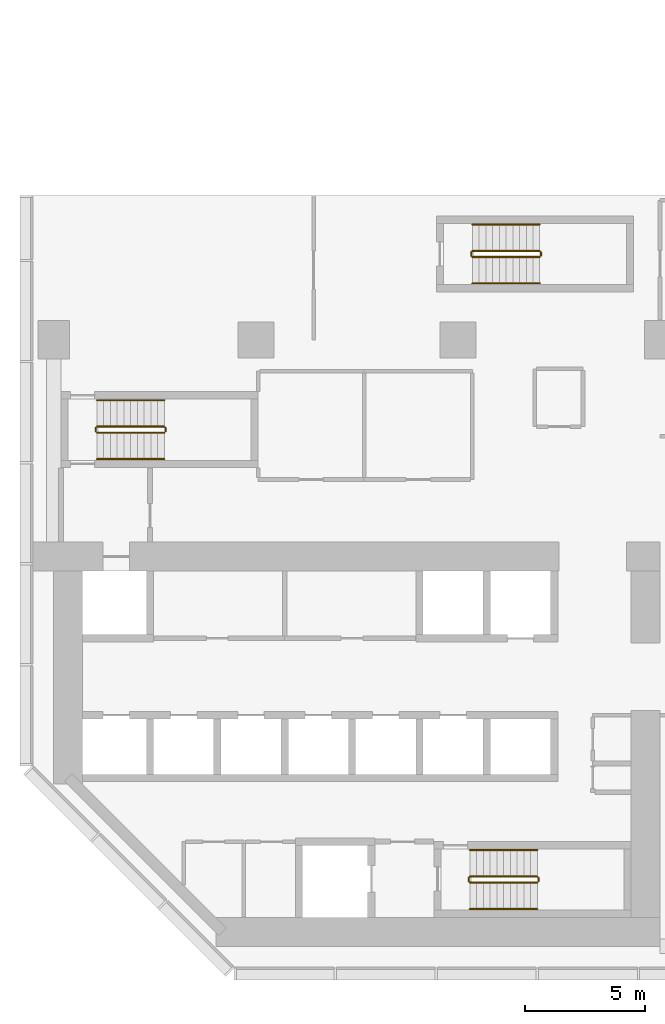
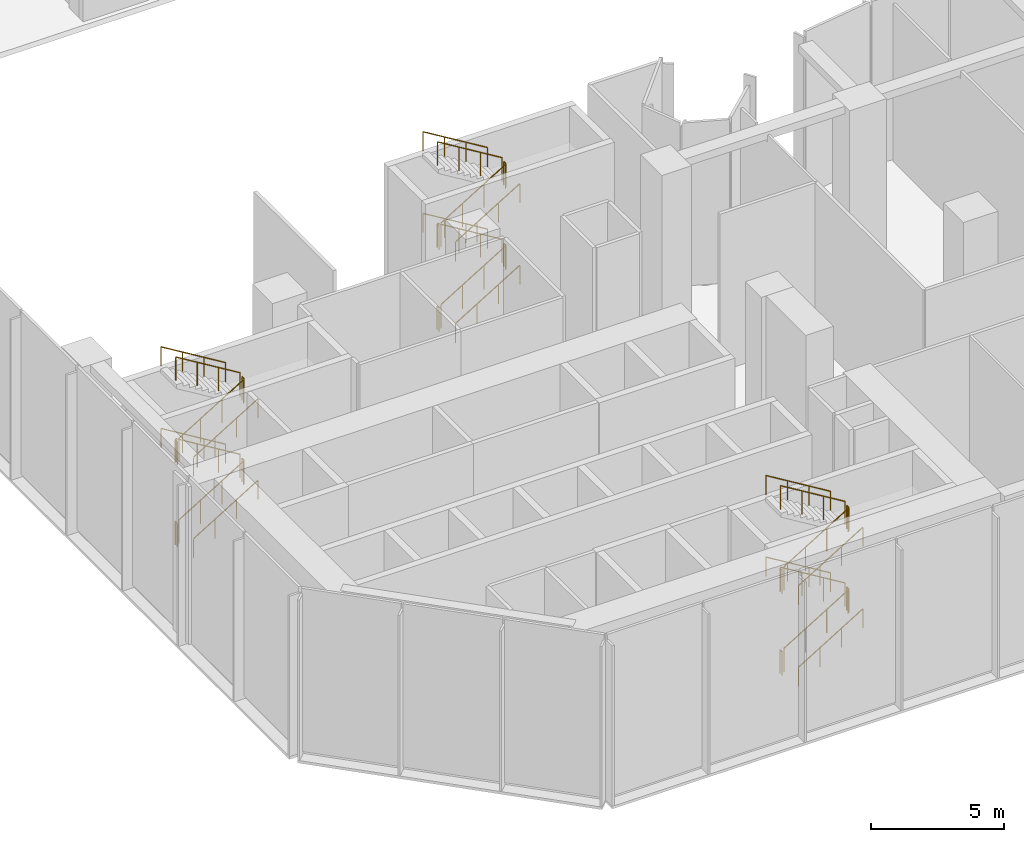
# One storey, part 19 of 22: 36 railings.
"""IFC4 building model written with IfcOpenShell, lengths in metres."""

from ifc_helpers import new_model, si_unit, direction, frame, origin, origin_2d, place, context, subcontext, project, spatial, circle, extrude, material, type_object, element, save


model = new_model("IFC4")

# Units and contexts
model_context = context("Model", 3, precision=1e-05, world=origin(), true_north=direction((0.0, 1.0)))
body_context = subcontext(model_context, "Body", "Model", "MODEL_VIEW")
ifc_project = project(units=[si_unit("LENGTHUNIT", "METRE"), si_unit("AREAUNIT", "SQUARE_METRE"), si_unit("VOLUMEUNIT", "CUBIC_METRE"), si_unit("PLANEANGLEUNIT", "RADIAN"), si_unit("MASSUNIT", "GRAM", prefix="KILO")], contexts=[model_context])

# Site, building, storey
site_placement = place(None, origin())
site = spatial("IfcSite", under=ifc_project, at=site_placement, CompositionType="ELEMENT")
building_placement = place(site_placement, origin())
building = spatial("IfcBuilding", under=site, at=building_placement, Name="Brevane Broadcast Tower", CompositionType="ELEMENT")
storey_placement = place(building_placement, frame((0.0, 0.0, 20.0)))
storey = spatial("IfcBuildingStorey", under=building, at=storey_placement, Name="L03", CompositionType="ELEMENT", Elevation=20.0)

# Railings
ifc_material = material(Name="Steel S355", Category="steel")
railing_type_1 = type_object("IfcRailingType", Name="Exit stair guard", PredefinedType="GUARDRAIL", material=ifc_material)
railing_1_placement = place(storey_placement, frame((1.800048828125, 21.35009765625, 0.17041015625)))
element("IfcRailing", 1, at=railing_1_placement, inside=storey, type_object=railing_type_1, Name="L03 ST-1 stair guard 1", PredefinedType="GUARDRAIL", context=body_context, shape_type="SweptSolid", body=[
    extrude(circle(Radius=0.02392578125, at=origin_2d()), frame((0.0, 0.0, 1.076171875), z_axis=(0.854169791009, 0.0, 0.51999420009), x_axis=(0.0, 1.0, 0.0)), (0.0, 0.0, 1.0), 3.278076171875),
    extrude(circle(Radius=0.02099609375, at=origin_2d()), origin(), (0.0, 0.0, 1.0), 1.052001953125),
    extrude(circle(Radius=0.02099609375, at=origin_2d()), frame((0.933349609375, 0.0, 0.568115234375)), (0.0, 0.0, 1.0), 1.052001953125),
    extrude(circle(Radius=0.02099609375, at=origin_2d()), frame((1.86669921875, 0.0, 1.136474609375)), (0.0, 0.0, 1.0), 1.052001953125),
    extrude(circle(Radius=0.02099609375, at=origin_2d()), frame((2.800048828125, 0.0, 1.70458984375)), (0.0, 0.0, 1.0), 1.052001953125),
])
railing_2_placement = place(storey_placement, frame((4.64990234375, 21.39990234375, 1.875)))
element("IfcRailing", 2, at=railing_2_placement, inside=storey, type_object=railing_type_1, Name="L03 ST-1 stair guard 2", PredefinedType="GUARDRAIL", context=body_context, shape_type="SweptSolid", body=[
    extrude(circle(Radius=0.02392578125, at=origin_2d()), frame((0.0, 0.0, 1.076171875), z_axis=(0.0, 1.0, 0.0), x_axis=(-1.0, 0.0, 0.0)), (0.0, 0.0, 1.0), 0.150146484375),
    extrude(circle(Radius=0.02099609375, at=origin_2d()), origin(), (0.0, 0.0, 1.0), 1.052001953125),
    extrude(circle(Radius=0.02099609375, at=origin_2d()), frame((0.0, 0.150146484375, 0.0)), (0.0, 0.0, 1.0), 1.052001953125),
])
railing_3_placement = place(storey_placement, frame((4.60009765625, 21.60009765625, 2.04541015625)))
element("IfcRailing", 3, at=railing_3_placement, inside=storey, type_object=railing_type_1, Name="L03 ST-1 stair guard 3", PredefinedType="GUARDRAIL", context=body_context, shape_type="SweptSolid", body=[
    extrude(circle(Radius=0.02392578125, at=origin_2d()), frame((0.0, 0.0, 1.076171875), z_axis=(-0.854169791009, 0.0, 0.51999420009), x_axis=(0.0, -1.0, 0.0)), (0.0, 0.0, 1.0), 3.278076171875),
    extrude(circle(Radius=0.02099609375, at=origin_2d()), origin(), (0.0, 0.0, 1.0), 1.052001953125),
    extrude(circle(Radius=0.02099609375, at=origin_2d()), frame((-0.933349609375, 0.0, 0.568115234375)), (0.0, 0.0, 1.0), 1.052001953125),
    extrude(circle(Radius=0.02099609375, at=origin_2d()), frame((-1.86669921875, 0.0, 1.136474609375)), (0.0, 0.0, 1.0), 1.052001953125),
    extrude(circle(Radius=0.02099609375, at=origin_2d()), frame((-2.800048828125, 0.0, 1.70458984375)), (0.0, 0.0, 1.0), 1.052001953125),
])
railing_4_placement = place(storey_placement, frame((1.75, 21.39990234375, 3.75)))
element("IfcRailing", 4, at=railing_4_placement, inside=storey, type_object=railing_type_1, Name="L03 ST-1 stair guard 4", PredefinedType="GUARDRAIL", context=body_context, shape_type="SweptSolid", body=[
    extrude(circle(Radius=0.02392578125, at=origin_2d()), frame((0.0, 0.0, 1.076171875), z_axis=(0.0, 1.0, 0.0), x_axis=(-1.0, 0.0, 0.0)), (0.0, 0.0, 1.0), 0.150146484375),
    extrude(circle(Radius=0.02099609375, at=origin_2d()), origin(), (0.0, 0.0, 1.0), 1.052001953125),
    extrude(circle(Radius=0.02099609375, at=origin_2d()), frame((0.0, 0.150146484375, 0.0)), (0.0, 0.0, 1.0), 1.052001953125),
])
railing_5_placement = place(storey_placement, frame((1.800048828125, 21.35009765625, 3.92041015625)))
element("IfcRailing", 5, at=railing_5_placement, inside=storey, type_object=railing_type_1, Name="L03 ST-1 stair guard 5", PredefinedType="GUARDRAIL", context=body_context, shape_type="SweptSolid", body=[
    extrude(circle(Radius=0.02392578125, at=origin_2d()), frame((0.0, 0.0, 1.076171875), z_axis=(0.854169791009, 0.0, 0.51999420009), x_axis=(0.0, 1.0, 0.0)), (0.0, 0.0, 1.0), 3.278076171875),
    extrude(circle(Radius=0.02099609375, at=origin_2d()), origin(), (0.0, 0.0, 1.0), 1.052001953125),
    extrude(circle(Radius=0.02099609375, at=origin_2d()), frame((0.933349609375, 0.0, 0.568115234375)), (0.0, 0.0, 1.0), 1.052001953125),
    extrude(circle(Radius=0.02099609375, at=origin_2d()), frame((1.86669921875, 0.0, 1.136474609375)), (0.0, 0.0, 1.0), 1.052001953125),
    extrude(circle(Radius=0.02099609375, at=origin_2d()), frame((2.800048828125, 0.0, 1.70458984375)), (0.0, 0.0, 1.0), 1.052001953125),
])
railing_6_placement = place(storey_placement, frame((4.64990234375, 21.39990234375, 5.625)))
element("IfcRailing", 6, at=railing_6_placement, inside=storey, type_object=railing_type_1, Name="L03 ST-1 stair guard 6", PredefinedType="GUARDRAIL", context=body_context, shape_type="SweptSolid", body=[
    extrude(circle(Radius=0.02392578125, at=origin_2d()), frame((0.0, 0.0, 1.076171875), z_axis=(0.0, 1.0, 0.0), x_axis=(-1.0, 0.0, 0.0)), (0.0, 0.0, 1.0), 0.150146484375),
    extrude(circle(Radius=0.02099609375, at=origin_2d()), origin(), (0.0, 0.0, 1.0), 1.052001953125),
    extrude(circle(Radius=0.02099609375, at=origin_2d()), frame((0.0, 0.150146484375, 0.0)), (0.0, 0.0, 1.0), 1.052001953125),
])
railing_7_placement = place(storey_placement, frame((4.60009765625, 21.60009765625, 5.79541015625)))
element("IfcRailing", 7, at=railing_7_placement, inside=storey, type_object=railing_type_1, Name="L03 ST-1 stair guard 7", PredefinedType="GUARDRAIL", context=body_context, shape_type="SweptSolid", body=[
    extrude(circle(Radius=0.02392578125, at=origin_2d()), frame((0.0, 0.0, 1.076171875), z_axis=(-0.854169791009, 0.0, 0.51999420009), x_axis=(0.0, -1.0, 0.0)), (0.0, 0.0, 1.0), 3.278076171875),
    extrude(circle(Radius=0.02099609375, at=origin_2d()), origin(), (0.0, 0.0, 1.0), 1.052001953125),
    extrude(circle(Radius=0.02099609375, at=origin_2d()), frame((-0.933349609375, 0.0, 0.568115234375)), (0.0, 0.0, 1.0), 1.052001953125),
    extrude(circle(Radius=0.02099609375, at=origin_2d()), frame((-1.86669921875, 0.0, 1.136474609375)), (0.0, 0.0, 1.0), 1.052001953125),
    extrude(circle(Radius=0.02099609375, at=origin_2d()), frame((-2.800048828125, 0.0, 1.70458984375)), (0.0, 0.0, 1.0), 1.052001953125),
])
railing_8_placement = place(storey_placement, frame((1.75, 21.39990234375, 0.0)))
element("IfcRailing", 8, at=railing_8_placement, inside=storey, type_object=railing_type_1, Name="L03 ST-1 stair guard 8", PredefinedType="GUARDRAIL", context=body_context, shape_type="SweptSolid", body=[
    extrude(circle(Radius=0.02392578125, at=origin_2d()), frame((0.0, 0.0, 1.076171875), z_axis=(0.0, 1.0, 0.0), x_axis=(-1.0, 0.0, 0.0)), (0.0, 0.0, 1.0), 0.150146484375),
    extrude(circle(Radius=0.02099609375, at=origin_2d()), origin(), (0.0, 0.0, 1.0), 1.052001953125),
    extrude(circle(Radius=0.02099609375, at=origin_2d()), frame((0.0, 0.150146484375, 0.0)), (0.0, 0.0, 1.0), 1.052001953125),
])
railing_9_placement = place(storey_placement, frame((17.300048828125, 2.64990234375, 0.17041015625)))
element("IfcRailing", 9, at=railing_9_placement, inside=storey, type_object=railing_type_1, Name="L03 ST-2 stair guard 1", PredefinedType="GUARDRAIL", context=body_context, shape_type="SweptSolid", body=[
    extrude(circle(Radius=0.02392578125, at=origin_2d()), frame((0.0, 0.0, 1.076171875), z_axis=(0.854169791009, 0.0, 0.51999420009), x_axis=(0.0, 1.0, 0.0)), (0.0, 0.0, 1.0), 3.278076171875),
    extrude(circle(Radius=0.02099609375, at=origin_2d()), origin(), (0.0, 0.0, 1.0), 1.052001953125),
    extrude(circle(Radius=0.02099609375, at=origin_2d()), frame((0.933349609375, 0.0, 0.568115234375)), (0.0, 0.0, 1.0), 1.052001953125),
    extrude(circle(Radius=0.02099609375, at=origin_2d()), frame((1.86669921875, 0.0, 1.136474609375)), (0.0, 0.0, 1.0), 1.052001953125),
    extrude(circle(Radius=0.02099609375, at=origin_2d()), frame((2.800048828125, 0.0, 1.70458984375)), (0.0, 0.0, 1.0), 1.052001953125),
])
railing_10_placement = place(storey_placement, frame((20.14990234375, 2.699951171875, 1.875)))
element("IfcRailing", 10, at=railing_10_placement, inside=storey, type_object=railing_type_1, Name="L03 ST-2 stair guard 2", PredefinedType="GUARDRAIL", context=body_context, shape_type="SweptSolid", body=[
    extrude(circle(Radius=0.02392578125, at=origin_2d()), frame((0.0, 0.0, 1.076171875), z_axis=(0.0, 1.0, 0.0), x_axis=(-1.0, 0.0, 0.0)), (0.0, 0.0, 1.0), 0.150146484375),
    extrude(circle(Radius=0.02099609375, at=origin_2d()), origin(), (0.0, 0.0, 1.0), 1.052001953125),
    extrude(circle(Radius=0.02099609375, at=origin_2d()), frame((0.0, 0.150146484375, 0.0)), (0.0, 0.0, 1.0), 1.052001953125),
])
railing_11_placement = place(storey_placement, frame((20.10009765625, 2.89990234375, 2.04541015625)))
element("IfcRailing", 11, at=railing_11_placement, inside=storey, type_object=railing_type_1, Name="L03 ST-2 stair guard 3", PredefinedType="GUARDRAIL", context=body_context, shape_type="SweptSolid", body=[
    extrude(circle(Radius=0.02392578125, at=origin_2d()), frame((0.0, 0.0, 1.076171875), z_axis=(-0.854169791009, 0.0, 0.51999420009), x_axis=(0.0, -1.0, 0.0)), (0.0, 0.0, 1.0), 3.278076171875),
    extrude(circle(Radius=0.02099609375, at=origin_2d()), origin(), (0.0, 0.0, 1.0), 1.052001953125),
    extrude(circle(Radius=0.02099609375, at=origin_2d()), frame((-0.933349609375, 0.0, 0.568115234375)), (0.0, 0.0, 1.0), 1.052001953125),
    extrude(circle(Radius=0.02099609375, at=origin_2d()), frame((-1.86669921875, 0.0, 1.136474609375)), (0.0, 0.0, 1.0), 1.052001953125),
    extrude(circle(Radius=0.02099609375, at=origin_2d()), frame((-2.800048828125, 0.0, 1.70458984375)), (0.0, 0.0, 1.0), 1.052001953125),
])
railing_12_placement = place(storey_placement, frame((17.25, 2.699951171875, 3.75)))
element("IfcRailing", 12, at=railing_12_placement, inside=storey, type_object=railing_type_1, Name="L03 ST-2 stair guard 4", PredefinedType="GUARDRAIL", context=body_context, shape_type="SweptSolid", body=[
    extrude(circle(Radius=0.02392578125, at=origin_2d()), frame((0.0, 0.0, 1.076171875), z_axis=(0.0, 1.0, 0.0), x_axis=(-1.0, 0.0, 0.0)), (0.0, 0.0, 1.0), 0.150146484375),
    extrude(circle(Radius=0.02099609375, at=origin_2d()), origin(), (0.0, 0.0, 1.0), 1.052001953125),
    extrude(circle(Radius=0.02099609375, at=origin_2d()), frame((0.0, 0.150146484375, 0.0)), (0.0, 0.0, 1.0), 1.052001953125),
])
railing_13_placement = place(storey_placement, frame((17.300048828125, 2.64990234375, 3.92041015625)))
element("IfcRailing", 13, at=railing_13_placement, inside=storey, type_object=railing_type_1, Name="L03 ST-2 stair guard 5", PredefinedType="GUARDRAIL", context=body_context, shape_type="SweptSolid", body=[
    extrude(circle(Radius=0.02392578125, at=origin_2d()), frame((0.0, 0.0, 1.076171875), z_axis=(0.854169791009, 0.0, 0.51999420009), x_axis=(0.0, 1.0, 0.0)), (0.0, 0.0, 1.0), 3.278076171875),
    extrude(circle(Radius=0.02099609375, at=origin_2d()), origin(), (0.0, 0.0, 1.0), 1.052001953125),
    extrude(circle(Radius=0.02099609375, at=origin_2d()), frame((0.933349609375, 0.0, 0.568115234375)), (0.0, 0.0, 1.0), 1.052001953125),
    extrude(circle(Radius=0.02099609375, at=origin_2d()), frame((1.86669921875, 0.0, 1.136474609375)), (0.0, 0.0, 1.0), 1.052001953125),
    extrude(circle(Radius=0.02099609375, at=origin_2d()), frame((2.800048828125, 0.0, 1.70458984375)), (0.0, 0.0, 1.0), 1.052001953125),
])
railing_14_placement = place(storey_placement, frame((20.14990234375, 2.699951171875, 5.625)))
element("IfcRailing", 14, at=railing_14_placement, inside=storey, type_object=railing_type_1, Name="L03 ST-2 stair guard 6", PredefinedType="GUARDRAIL", context=body_context, shape_type="SweptSolid", body=[
    extrude(circle(Radius=0.02392578125, at=origin_2d()), frame((0.0, 0.0, 1.076171875), z_axis=(0.0, 1.0, 0.0), x_axis=(-1.0, 0.0, 0.0)), (0.0, 0.0, 1.0), 0.150146484375),
    extrude(circle(Radius=0.02099609375, at=origin_2d()), origin(), (0.0, 0.0, 1.0), 1.052001953125),
    extrude(circle(Radius=0.02099609375, at=origin_2d()), frame((0.0, 0.150146484375, 0.0)), (0.0, 0.0, 1.0), 1.052001953125),
])
railing_15_placement = place(storey_placement, frame((20.10009765625, 2.89990234375, 5.79541015625)))
element("IfcRailing", 15, at=railing_15_placement, inside=storey, type_object=railing_type_1, Name="L03 ST-2 stair guard 7", PredefinedType="GUARDRAIL", context=body_context, shape_type="SweptSolid", body=[
    extrude(circle(Radius=0.02392578125, at=origin_2d()), frame((0.0, 0.0, 1.076171875), z_axis=(-0.854169791009, 0.0, 0.51999420009), x_axis=(0.0, -1.0, 0.0)), (0.0, 0.0, 1.0), 3.278076171875),
    extrude(circle(Radius=0.02099609375, at=origin_2d()), origin(), (0.0, 0.0, 1.0), 1.052001953125),
    extrude(circle(Radius=0.02099609375, at=origin_2d()), frame((-0.933349609375, 0.0, 0.568115234375)), (0.0, 0.0, 1.0), 1.052001953125),
    extrude(circle(Radius=0.02099609375, at=origin_2d()), frame((-1.86669921875, 0.0, 1.136474609375)), (0.0, 0.0, 1.0), 1.052001953125),
    extrude(circle(Radius=0.02099609375, at=origin_2d()), frame((-2.800048828125, 0.0, 1.70458984375)), (0.0, 0.0, 1.0), 1.052001953125),
])
railing_16_placement = place(storey_placement, frame((17.25, 2.699951171875, 0.0)))
element("IfcRailing", 16, at=railing_16_placement, inside=storey, type_object=railing_type_1, Name="L03 ST-2 stair guard 8", PredefinedType="GUARDRAIL", context=body_context, shape_type="SweptSolid", body=[
    extrude(circle(Radius=0.02392578125, at=origin_2d()), frame((0.0, 0.0, 1.076171875), z_axis=(0.0, 1.0, 0.0), x_axis=(-1.0, 0.0, 0.0)), (0.0, 0.0, 1.0), 0.150146484375),
    extrude(circle(Radius=0.02099609375, at=origin_2d()), origin(), (0.0, 0.0, 1.0), 1.052001953125),
    extrude(circle(Radius=0.02099609375, at=origin_2d()), frame((0.0, 0.150146484375, 0.0)), (0.0, 0.0, 1.0), 1.052001953125),
])
railing_17_placement = place(storey_placement, frame((17.39990234375, 28.64990234375, 0.17041015625)))
element("IfcRailing", 17, at=railing_17_placement, inside=storey, type_object=railing_type_1, Name="L03 ST-3 stair guard 1", PredefinedType="GUARDRAIL", context=body_context, shape_type="SweptSolid", body=[
    extrude(circle(Radius=0.02392578125, at=origin_2d()), frame((0.0, 0.0, 1.076171875), z_axis=(0.854169791009, 0.0, 0.51999420009), x_axis=(0.0, 1.0, 0.0)), (0.0, 0.0, 1.0), 3.278076171875),
    extrude(circle(Radius=0.02099609375, at=origin_2d()), origin(), (0.0, 0.0, 1.0), 1.052001953125),
    extrude(circle(Radius=0.02099609375, at=origin_2d()), frame((0.933349609375, 0.0, 0.568115234375)), (0.0, 0.0, 1.0), 1.052001953125),
    extrude(circle(Radius=0.02099609375, at=origin_2d()), frame((1.86669921875, 0.0, 1.136474609375)), (0.0, 0.0, 1.0), 1.052001953125),
    extrude(circle(Radius=0.02099609375, at=origin_2d()), frame((2.800048828125, 0.0, 1.70458984375)), (0.0, 0.0, 1.0), 1.052001953125),
])
railing_18_placement = place(storey_placement, frame((20.25, 28.699951171875, 1.875)))
element("IfcRailing", 18, at=railing_18_placement, inside=storey, type_object=railing_type_1, Name="L03 ST-3 stair guard 2", PredefinedType="GUARDRAIL", context=body_context, shape_type="SweptSolid", body=[
    extrude(circle(Radius=0.02392578125, at=origin_2d()), frame((0.0, 0.0, 1.076171875), z_axis=(0.0, 1.0, 0.0), x_axis=(-1.0, 0.0, 0.0)), (0.0, 0.0, 1.0), 0.150146484375),
    extrude(circle(Radius=0.02099609375, at=origin_2d()), origin(), (0.0, 0.0, 1.0), 1.052001953125),
    extrude(circle(Radius=0.02099609375, at=origin_2d()), frame((0.0, 0.150146484375, 0.0)), (0.0, 0.0, 1.0), 1.052001953125),
])
railing_19_placement = place(storey_placement, frame((20.199951171875, 28.89990234375, 2.04541015625)))
element("IfcRailing", 19, at=railing_19_placement, inside=storey, type_object=railing_type_1, Name="L03 ST-3 stair guard 3", PredefinedType="GUARDRAIL", context=body_context, shape_type="SweptSolid", body=[
    extrude(circle(Radius=0.02392578125, at=origin_2d()), frame((0.0, 0.0, 1.076171875), z_axis=(-0.854169791009, 0.0, 0.51999420009), x_axis=(0.0, -1.0, 0.0)), (0.0, 0.0, 1.0), 3.278076171875),
    extrude(circle(Radius=0.02099609375, at=origin_2d()), origin(), (0.0, 0.0, 1.0), 1.052001953125),
    extrude(circle(Radius=0.02099609375, at=origin_2d()), frame((-0.933349609375, 0.0, 0.568115234375)), (0.0, 0.0, 1.0), 1.052001953125),
    extrude(circle(Radius=0.02099609375, at=origin_2d()), frame((-1.86669921875, 0.0, 1.136474609375)), (0.0, 0.0, 1.0), 1.052001953125),
    extrude(circle(Radius=0.02099609375, at=origin_2d()), frame((-2.800048828125, 0.0, 1.70458984375)), (0.0, 0.0, 1.0), 1.052001953125),
])
railing_20_placement = place(storey_placement, frame((17.35009765625, 28.699951171875, 3.75)))
element("IfcRailing", 20, at=railing_20_placement, inside=storey, type_object=railing_type_1, Name="L03 ST-3 stair guard 4", PredefinedType="GUARDRAIL", context=body_context, shape_type="SweptSolid", body=[
    extrude(circle(Radius=0.02392578125, at=origin_2d()), frame((0.0, 0.0, 1.076171875), z_axis=(0.0, 1.0, 0.0), x_axis=(-1.0, 0.0, 0.0)), (0.0, 0.0, 1.0), 0.150146484375),
    extrude(circle(Radius=0.02099609375, at=origin_2d()), origin(), (0.0, 0.0, 1.0), 1.052001953125),
    extrude(circle(Radius=0.02099609375, at=origin_2d()), frame((0.0, 0.150146484375, 0.0)), (0.0, 0.0, 1.0), 1.052001953125),
])
railing_21_placement = place(storey_placement, frame((17.39990234375, 28.64990234375, 3.92041015625)))
element("IfcRailing", 21, at=railing_21_placement, inside=storey, type_object=railing_type_1, Name="L03 ST-3 stair guard 5", PredefinedType="GUARDRAIL", context=body_context, shape_type="SweptSolid", body=[
    extrude(circle(Radius=0.02392578125, at=origin_2d()), frame((0.0, 0.0, 1.076171875), z_axis=(0.854169791009, 0.0, 0.51999420009), x_axis=(0.0, 1.0, 0.0)), (0.0, 0.0, 1.0), 3.278076171875),
    extrude(circle(Radius=0.02099609375, at=origin_2d()), origin(), (0.0, 0.0, 1.0), 1.052001953125),
    extrude(circle(Radius=0.02099609375, at=origin_2d()), frame((0.933349609375, 0.0, 0.568115234375)), (0.0, 0.0, 1.0), 1.052001953125),
    extrude(circle(Radius=0.02099609375, at=origin_2d()), frame((1.86669921875, 0.0, 1.136474609375)), (0.0, 0.0, 1.0), 1.052001953125),
    extrude(circle(Radius=0.02099609375, at=origin_2d()), frame((2.800048828125, 0.0, 1.70458984375)), (0.0, 0.0, 1.0), 1.052001953125),
])
railing_22_placement = place(storey_placement, frame((20.25, 28.699951171875, 5.625)))
element("IfcRailing", 22, at=railing_22_placement, inside=storey, type_object=railing_type_1, Name="L03 ST-3 stair guard 6", PredefinedType="GUARDRAIL", context=body_context, shape_type="SweptSolid", body=[
    extrude(circle(Radius=0.02392578125, at=origin_2d()), frame((0.0, 0.0, 1.076171875), z_axis=(0.0, 1.0, 0.0), x_axis=(-1.0, 0.0, 0.0)), (0.0, 0.0, 1.0), 0.150146484375),
    extrude(circle(Radius=0.02099609375, at=origin_2d()), origin(), (0.0, 0.0, 1.0), 1.052001953125),
    extrude(circle(Radius=0.02099609375, at=origin_2d()), frame((0.0, 0.150146484375, 0.0)), (0.0, 0.0, 1.0), 1.052001953125),
])
railing_23_placement = place(storey_placement, frame((20.199951171875, 28.89990234375, 5.79541015625)))
element("IfcRailing", 23, at=railing_23_placement, inside=storey, type_object=railing_type_1, Name="L03 ST-3 stair guard 7", PredefinedType="GUARDRAIL", context=body_context, shape_type="SweptSolid", body=[
    extrude(circle(Radius=0.02392578125, at=origin_2d()), frame((0.0, 0.0, 1.076171875), z_axis=(-0.854169791009, 0.0, 0.51999420009), x_axis=(0.0, -1.0, 0.0)), (0.0, 0.0, 1.0), 3.278076171875),
    extrude(circle(Radius=0.02099609375, at=origin_2d()), origin(), (0.0, 0.0, 1.0), 1.052001953125),
    extrude(circle(Radius=0.02099609375, at=origin_2d()), frame((-0.933349609375, 0.0, 0.568115234375)), (0.0, 0.0, 1.0), 1.052001953125),
    extrude(circle(Radius=0.02099609375, at=origin_2d()), frame((-1.86669921875, 0.0, 1.136474609375)), (0.0, 0.0, 1.0), 1.052001953125),
    extrude(circle(Radius=0.02099609375, at=origin_2d()), frame((-2.800048828125, 0.0, 1.70458984375)), (0.0, 0.0, 1.0), 1.052001953125),
])
railing_24_placement = place(storey_placement, frame((17.35009765625, 28.699951171875, 0.0)))
element("IfcRailing", 24, at=railing_24_placement, inside=storey, type_object=railing_type_1, Name="L03 ST-3 stair guard 8", PredefinedType="GUARDRAIL", context=body_context, shape_type="SweptSolid", body=[
    extrude(circle(Radius=0.02392578125, at=origin_2d()), frame((0.0, 0.0, 1.076171875), z_axis=(0.0, 1.0, 0.0), x_axis=(-1.0, 0.0, 0.0)), (0.0, 0.0, 1.0), 0.150146484375),
    extrude(circle(Radius=0.02099609375, at=origin_2d()), origin(), (0.0, 0.0, 1.0), 1.052001953125),
    extrude(circle(Radius=0.02099609375, at=origin_2d()), frame((0.0, 0.150146484375, 0.0)), (0.0, 0.0, 1.0), 1.052001953125),
])
railing_type_2 = type_object("IfcRailingType", Name="Exit stair handrail", PredefinedType="HANDRAIL", material=ifc_material)
railing_25_placement = place(storey_placement, frame((1.800048828125, 20.25, 0.17041015625)))
element("IfcRailing", 25, at=railing_25_placement, inside=storey, type_object=railing_type_2, Name="L03 ST-1 stair handrail 1", PredefinedType="HANDRAIL", context=body_context, shape_type="SweptSolid", body=[
    extrude(circle(Radius=0.02392578125, at=origin_2d()), frame((0.0, 0.0, 0.8759765625), z_axis=(0.854169791009, 0.0, 0.51999420009), x_axis=(0.0, 1.0, 0.0)), (0.0, 0.0, 1.0), 3.278076171875),
    extrude(circle(Radius=0.02099609375, at=origin_2d()), origin(), (0.0, 0.0, 1.0), 0.851806640625),
    extrude(circle(Radius=0.02099609375, at=origin_2d()), frame((0.933349609375, 0.0, 0.568115234375)), (0.0, 0.0, 1.0), 0.851806640625),
    extrude(circle(Radius=0.02099609375, at=origin_2d()), frame((1.86669921875, 0.0, 1.136474609375)), (0.0, 0.0, 1.0), 0.851806640625),
    extrude(circle(Radius=0.02099609375, at=origin_2d()), frame((2.800048828125, 0.0, 1.70458984375)), (0.0, 0.0, 1.0), 0.851806640625),
])
railing_26_placement = place(storey_placement, frame((4.60009765625, 22.699951171875, 2.04541015625)))
element("IfcRailing", 26, at=railing_26_placement, inside=storey, type_object=railing_type_2, Name="L03 ST-1 stair handrail 2", PredefinedType="HANDRAIL", context=body_context, shape_type="SweptSolid", body=[
    extrude(circle(Radius=0.02392578125, at=origin_2d()), frame((0.0, 0.0, 0.8759765625), z_axis=(-0.854169791009, 0.0, 0.51999420009), x_axis=(0.0, -1.0, 0.0)), (0.0, 0.0, 1.0), 3.278076171875),
    extrude(circle(Radius=0.02099609375, at=origin_2d()), origin(), (0.0, 0.0, 1.0), 0.851806640625),
    extrude(circle(Radius=0.02099609375, at=origin_2d()), frame((-0.933349609375, 0.0, 0.568115234375)), (0.0, 0.0, 1.0), 0.851806640625),
    extrude(circle(Radius=0.02099609375, at=origin_2d()), frame((-1.86669921875, 0.0, 1.136474609375)), (0.0, 0.0, 1.0), 0.851806640625),
    extrude(circle(Radius=0.02099609375, at=origin_2d()), frame((-2.800048828125, 0.0, 1.70458984375)), (0.0, 0.0, 1.0), 0.851806640625),
])
railing_27_placement = place(storey_placement, frame((1.800048828125, 20.25, 3.92041015625)))
element("IfcRailing", 27, at=railing_27_placement, inside=storey, type_object=railing_type_2, Name="L03 ST-1 stair handrail 3", PredefinedType="HANDRAIL", context=body_context, shape_type="SweptSolid", body=[
    extrude(circle(Radius=0.02392578125, at=origin_2d()), frame((0.0, 0.0, 0.8759765625), z_axis=(0.854169791009, 0.0, 0.51999420009), x_axis=(0.0, 1.0, 0.0)), (0.0, 0.0, 1.0), 3.278076171875),
    extrude(circle(Radius=0.02099609375, at=origin_2d()), origin(), (0.0, 0.0, 1.0), 0.851806640625),
    extrude(circle(Radius=0.02099609375, at=origin_2d()), frame((0.933349609375, 0.0, 0.568115234375)), (0.0, 0.0, 1.0), 0.851806640625),
    extrude(circle(Radius=0.02099609375, at=origin_2d()), frame((1.86669921875, 0.0, 1.136474609375)), (0.0, 0.0, 1.0), 0.851806640625),
    extrude(circle(Radius=0.02099609375, at=origin_2d()), frame((2.800048828125, 0.0, 1.70458984375)), (0.0, 0.0, 1.0), 0.851806640625),
])
railing_28_placement = place(storey_placement, frame((4.60009765625, 22.699951171875, 5.79541015625)))
element("IfcRailing", 28, at=railing_28_placement, inside=storey, type_object=railing_type_2, Name="L03 ST-1 stair handrail 4", PredefinedType="HANDRAIL", context=body_context, shape_type="SweptSolid", body=[
    extrude(circle(Radius=0.02392578125, at=origin_2d()), frame((0.0, 0.0, 0.8759765625), z_axis=(-0.854169791009, 0.0, 0.51999420009), x_axis=(0.0, -1.0, 0.0)), (0.0, 0.0, 1.0), 3.278076171875),
    extrude(circle(Radius=0.02099609375, at=origin_2d()), origin(), (0.0, 0.0, 1.0), 0.851806640625),
    extrude(circle(Radius=0.02099609375, at=origin_2d()), frame((-0.933349609375, 0.0, 0.568115234375)), (0.0, 0.0, 1.0), 0.851806640625),
    extrude(circle(Radius=0.02099609375, at=origin_2d()), frame((-1.86669921875, 0.0, 1.136474609375)), (0.0, 0.0, 1.0), 0.851806640625),
    extrude(circle(Radius=0.02099609375, at=origin_2d()), frame((-2.800048828125, 0.0, 1.70458984375)), (0.0, 0.0, 1.0), 0.851806640625),
])
railing_29_placement = place(storey_placement, frame((17.300048828125, 1.550048828125, 0.17041015625)))
element("IfcRailing", 29, at=railing_29_placement, inside=storey, type_object=railing_type_2, Name="L03 ST-2 stair handrail 1", PredefinedType="HANDRAIL", context=body_context, shape_type="SweptSolid", body=[
    extrude(circle(Radius=0.02392578125, at=origin_2d()), frame((0.0, 0.0, 0.8759765625), z_axis=(0.854169791009, 0.0, 0.51999420009), x_axis=(0.0, 1.0, 0.0)), (0.0, 0.0, 1.0), 3.278076171875),
    extrude(circle(Radius=0.02099609375, at=origin_2d()), origin(), (0.0, 0.0, 1.0), 0.851806640625),
    extrude(circle(Radius=0.02099609375, at=origin_2d()), frame((0.933349609375, 0.0, 0.568115234375)), (0.0, 0.0, 1.0), 0.851806640625),
    extrude(circle(Radius=0.02099609375, at=origin_2d()), frame((1.86669921875, 0.0, 1.136474609375)), (0.0, 0.0, 1.0), 0.851806640625),
    extrude(circle(Radius=0.02099609375, at=origin_2d()), frame((2.800048828125, 0.0, 1.70458984375)), (0.0, 0.0, 1.0), 0.851806640625),
])
railing_30_placement = place(storey_placement, frame((20.10009765625, 4.0, 2.04541015625)))
element("IfcRailing", 30, at=railing_30_placement, inside=storey, type_object=railing_type_2, Name="L03 ST-2 stair handrail 2", PredefinedType="HANDRAIL", context=body_context, shape_type="SweptSolid", body=[
    extrude(circle(Radius=0.02392578125, at=origin_2d()), frame((0.0, 0.0, 0.8759765625), z_axis=(-0.854169791009, 0.0, 0.51999420009), x_axis=(0.0, -1.0, 0.0)), (0.0, 0.0, 1.0), 3.278076171875),
    extrude(circle(Radius=0.02099609375, at=origin_2d()), origin(), (0.0, 0.0, 1.0), 0.851806640625),
    extrude(circle(Radius=0.02099609375, at=origin_2d()), frame((-0.933349609375, 0.0, 0.568115234375)), (0.0, 0.0, 1.0), 0.851806640625),
    extrude(circle(Radius=0.02099609375, at=origin_2d()), frame((-1.86669921875, 0.0, 1.136474609375)), (0.0, 0.0, 1.0), 0.851806640625),
    extrude(circle(Radius=0.02099609375, at=origin_2d()), frame((-2.800048828125, 0.0, 1.70458984375)), (0.0, 0.0, 1.0), 0.851806640625),
])
railing_31_placement = place(storey_placement, frame((17.300048828125, 1.550048828125, 3.92041015625)))
element("IfcRailing", 31, at=railing_31_placement, inside=storey, type_object=railing_type_2, Name="L03 ST-2 stair handrail 3", PredefinedType="HANDRAIL", context=body_context, shape_type="SweptSolid", body=[
    extrude(circle(Radius=0.02392578125, at=origin_2d()), frame((0.0, 0.0, 0.8759765625), z_axis=(0.854169791009, 0.0, 0.51999420009), x_axis=(0.0, 1.0, 0.0)), (0.0, 0.0, 1.0), 3.278076171875),
    extrude(circle(Radius=0.02099609375, at=origin_2d()), origin(), (0.0, 0.0, 1.0), 0.851806640625),
    extrude(circle(Radius=0.02099609375, at=origin_2d()), frame((0.933349609375, 0.0, 0.568115234375)), (0.0, 0.0, 1.0), 0.851806640625),
    extrude(circle(Radius=0.02099609375, at=origin_2d()), frame((1.86669921875, 0.0, 1.136474609375)), (0.0, 0.0, 1.0), 0.851806640625),
    extrude(circle(Radius=0.02099609375, at=origin_2d()), frame((2.800048828125, 0.0, 1.70458984375)), (0.0, 0.0, 1.0), 0.851806640625),
])
railing_32_placement = place(storey_placement, frame((20.10009765625, 4.0, 5.79541015625)))
element("IfcRailing", 32, at=railing_32_placement, inside=storey, type_object=railing_type_2, Name="L03 ST-2 stair handrail 4", PredefinedType="HANDRAIL", context=body_context, shape_type="SweptSolid", body=[
    extrude(circle(Radius=0.02392578125, at=origin_2d()), frame((0.0, 0.0, 0.8759765625), z_axis=(-0.854169791009, 0.0, 0.51999420009), x_axis=(0.0, -1.0, 0.0)), (0.0, 0.0, 1.0), 3.278076171875),
    extrude(circle(Radius=0.02099609375, at=origin_2d()), origin(), (0.0, 0.0, 1.0), 0.851806640625),
    extrude(circle(Radius=0.02099609375, at=origin_2d()), frame((-0.933349609375, 0.0, 0.568115234375)), (0.0, 0.0, 1.0), 0.851806640625),
    extrude(circle(Radius=0.02099609375, at=origin_2d()), frame((-1.86669921875, 0.0, 1.136474609375)), (0.0, 0.0, 1.0), 0.851806640625),
    extrude(circle(Radius=0.02099609375, at=origin_2d()), frame((-2.800048828125, 0.0, 1.70458984375)), (0.0, 0.0, 1.0), 0.851806640625),
])
railing_33_placement = place(storey_placement, frame((17.39990234375, 27.550048828125, 0.17041015625)))
element("IfcRailing", 33, at=railing_33_placement, inside=storey, type_object=railing_type_2, Name="L03 ST-3 stair handrail 1", PredefinedType="HANDRAIL", context=body_context, shape_type="SweptSolid", body=[
    extrude(circle(Radius=0.02392578125, at=origin_2d()), frame((0.0, 0.0, 0.8759765625), z_axis=(0.854169791009, 0.0, 0.51999420009), x_axis=(0.0, 1.0, 0.0)), (0.0, 0.0, 1.0), 3.278076171875),
    extrude(circle(Radius=0.02099609375, at=origin_2d()), origin(), (0.0, 0.0, 1.0), 0.851806640625),
    extrude(circle(Radius=0.02099609375, at=origin_2d()), frame((0.933349609375, 0.0, 0.568115234375)), (0.0, 0.0, 1.0), 0.851806640625),
    extrude(circle(Radius=0.02099609375, at=origin_2d()), frame((1.86669921875, 0.0, 1.136474609375)), (0.0, 0.0, 1.0), 0.851806640625),
    extrude(circle(Radius=0.02099609375, at=origin_2d()), frame((2.800048828125, 0.0, 1.70458984375)), (0.0, 0.0, 1.0), 0.851806640625),
])
railing_34_placement = place(storey_placement, frame((20.199951171875, 30.0, 2.04541015625)))
element("IfcRailing", 34, at=railing_34_placement, inside=storey, type_object=railing_type_2, Name="L03 ST-3 stair handrail 2", PredefinedType="HANDRAIL", context=body_context, shape_type="SweptSolid", body=[
    extrude(circle(Radius=0.02392578125, at=origin_2d()), frame((0.0, 0.0, 0.8759765625), z_axis=(-0.854169791009, 0.0, 0.51999420009), x_axis=(0.0, -1.0, 0.0)), (0.0, 0.0, 1.0), 3.278076171875),
    extrude(circle(Radius=0.02099609375, at=origin_2d()), origin(), (0.0, 0.0, 1.0), 0.851806640625),
    extrude(circle(Radius=0.02099609375, at=origin_2d()), frame((-0.933349609375, 0.0, 0.568115234375)), (0.0, 0.0, 1.0), 0.851806640625),
    extrude(circle(Radius=0.02099609375, at=origin_2d()), frame((-1.86669921875, 0.0, 1.136474609375)), (0.0, 0.0, 1.0), 0.851806640625),
    extrude(circle(Radius=0.02099609375, at=origin_2d()), frame((-2.800048828125, 0.0, 1.70458984375)), (0.0, 0.0, 1.0), 0.851806640625),
])
railing_35_placement = place(storey_placement, frame((17.39990234375, 27.550048828125, 3.92041015625)))
element("IfcRailing", 35, at=railing_35_placement, inside=storey, type_object=railing_type_2, Name="L03 ST-3 stair handrail 3", PredefinedType="HANDRAIL", context=body_context, shape_type="SweptSolid", body=[
    extrude(circle(Radius=0.02392578125, at=origin_2d()), frame((0.0, 0.0, 0.8759765625), z_axis=(0.854169791009, 0.0, 0.51999420009), x_axis=(0.0, 1.0, 0.0)), (0.0, 0.0, 1.0), 3.278076171875),
    extrude(circle(Radius=0.02099609375, at=origin_2d()), origin(), (0.0, 0.0, 1.0), 0.851806640625),
    extrude(circle(Radius=0.02099609375, at=origin_2d()), frame((0.933349609375, 0.0, 0.568115234375)), (0.0, 0.0, 1.0), 0.851806640625),
    extrude(circle(Radius=0.02099609375, at=origin_2d()), frame((1.86669921875, 0.0, 1.136474609375)), (0.0, 0.0, 1.0), 0.851806640625),
    extrude(circle(Radius=0.02099609375, at=origin_2d()), frame((2.800048828125, 0.0, 1.70458984375)), (0.0, 0.0, 1.0), 0.851806640625),
])
railing_36_placement = place(storey_placement, frame((20.199951171875, 30.0, 5.79541015625)))
element("IfcRailing", 36, at=railing_36_placement, inside=storey, type_object=railing_type_2, Name="L03 ST-3 stair handrail 4", PredefinedType="HANDRAIL", context=body_context, shape_type="SweptSolid", body=[
    extrude(circle(Radius=0.02392578125, at=origin_2d()), frame((0.0, 0.0, 0.8759765625), z_axis=(-0.854169791009, 0.0, 0.51999420009), x_axis=(0.0, -1.0, 0.0)), (0.0, 0.0, 1.0), 3.278076171875),
    extrude(circle(Radius=0.02099609375, at=origin_2d()), origin(), (0.0, 0.0, 1.0), 0.851806640625),
    extrude(circle(Radius=0.02099609375, at=origin_2d()), frame((-0.933349609375, 0.0, 0.568115234375)), (0.0, 0.0, 1.0), 0.851806640625),
    extrude(circle(Radius=0.02099609375, at=origin_2d()), frame((-1.86669921875, 0.0, 1.136474609375)), (0.0, 0.0, 1.0), 0.851806640625),
    extrude(circle(Radius=0.02099609375, at=origin_2d()), frame((-2.800048828125, 0.0, 1.70458984375)), (0.0, 0.0, 1.0), 0.851806640625),
])

save(model, "model.ifc")
